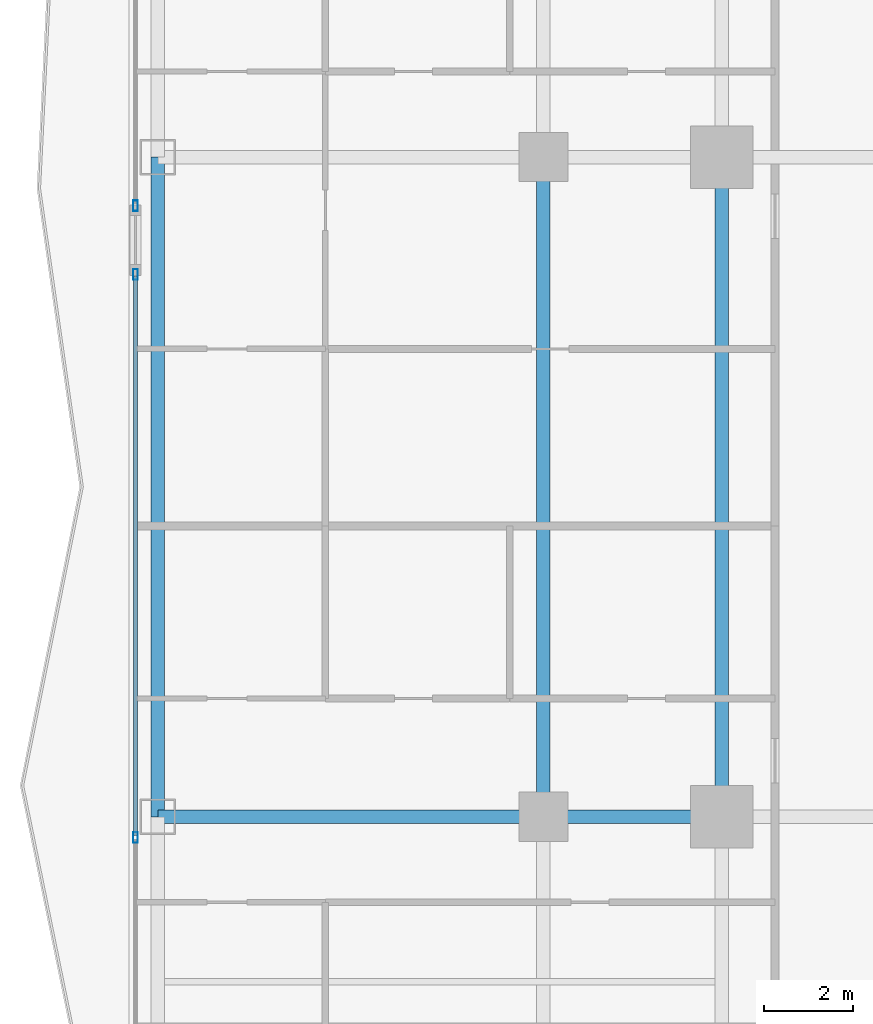
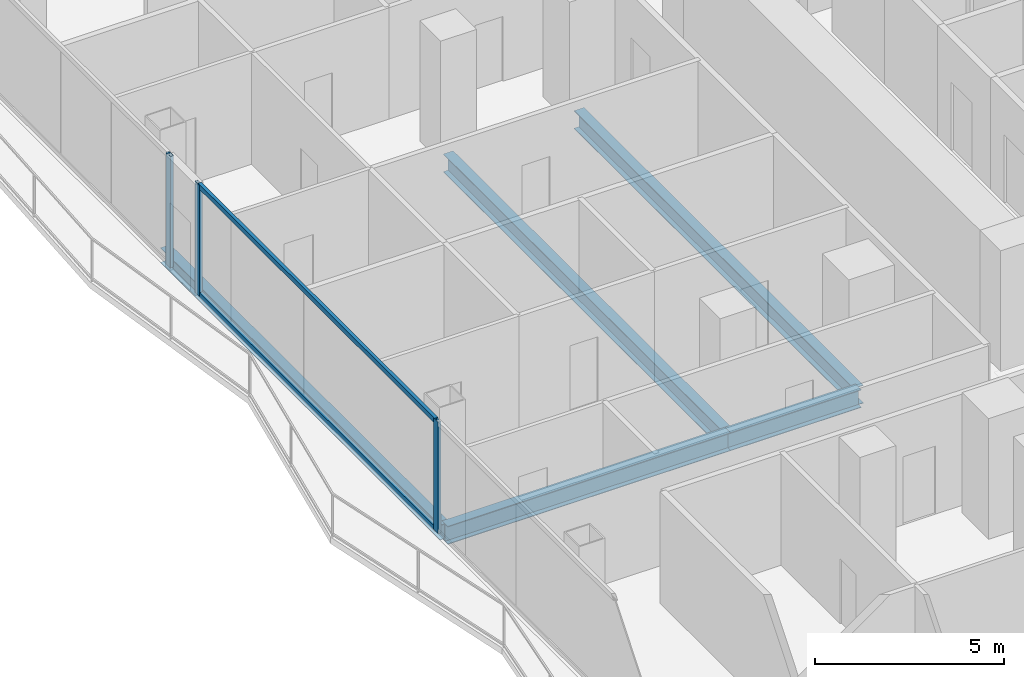
# One storey, part 6 of 29: 5 beams, 5 members, 2 elements without a shape of their own.
"""IFC4 building model written with IfcOpenShell, lengths in metres."""

import ifcopenshell
import ifcopenshell.guid

model = None  # the IFC model being written
_history = None  # IfcOwnerHistory: only IFC2X3 demands one
_inside = {}  # id of a spatial element -> (the spatial element, [elements in it])
_under = {}  # id of a project, library or spatial element -> (it, [spatial elements below it])
_declared = {}  # id of a project -> (the project, [libraries it declares])
_typed = {}  # id of a type object -> (the type object, [elements of that type])
_made_of = {}  # id of a material, layer set ... -> (it, [elements and type objects made of it])


def new_model(schema):
    """Start an empty IFC model of exactly this schema.

    Asked for "IFC4X3", IfcOpenShell would pick the latest addendum, in which some entities
    have other attributes; the version numbers below select the first issue.
    IFC2X3 requires an IfcOwnerHistory on every rooted entity: one is made here for all.
    """
    global model, _history
    if schema == "IFC4X3":
        model = ifcopenshell.file(schema_version=(4, 3, 0, 0))
    else:
        model = ifcopenshell.file(schema=schema)
    _inside.clear()
    _under.clear()
    _declared.clear()
    _typed.clear()
    _made_of.clear()
    _history = None
    if model.schema == "IFC2X3":
        org = make("IfcOrganization", Name="unknown")
        user = make(
            "IfcPersonAndOrganization",
            ThePerson=make("IfcPerson", FamilyName="unknown"),
            TheOrganization=org,
        )
        app = make(
            "IfcApplication",
            ApplicationDeveloper=org,
            Version="unknown",
            ApplicationFullName="unknown",
            ApplicationIdentifier="unknown",
        )
        _history = make(
            "IfcOwnerHistory",
            OwningUser=user,
            OwningApplication=app,
            ChangeAction="ADDED",
            CreationDate=0,
        )
    return model


def make(cls, **values):
    """One entity of the class cls with the attributes given. An attribute that is None is left unset."""
    return model.create_entity(
        cls, **{name: value for name, value in values.items() if value is not None}
    )


def rooted(cls, **values):
    """An entity with a GlobalId (a new one), such as an element, a storey or a relation."""
    return make(cls, GlobalId=ifcopenshell.guid.new(), OwnerHistory=_history, **values)


def si_unit(unit_type, name, prefix=None):
    """IfcSIUnit, for example si_unit("LENGTHUNIT", "METRE", prefix="MILLI")."""
    return make("IfcSIUnit", UnitType=unit_type, Prefix=prefix, Name=name)


def assignment(units):
    """IfcUnitAssignment: the units of a project."""
    return None if units is None else make("IfcUnitAssignment", Units=units)


def point(xyz):
    """IfcCartesianPoint."""
    return None if xyz is None else make("IfcCartesianPoint", Coordinates=xyz)


def direction(xyz):
    """IfcDirection."""
    return None if xyz is None else make("IfcDirection", DirectionRatios=xyz)


def frame(location, z_axis=None, x_axis=None):
    """IfcAxis2Placement3D, a coordinate frame: its origin and axes. An axis left out is left unset."""
    return make(
        "IfcAxis2Placement3D",
        Location=point(location),
        Axis=direction(z_axis),
        RefDirection=direction(x_axis),
    )


def frame_2d(location, x_axis=None):
    """IfcAxis2Placement2D, a coordinate frame in the plane: its origin and x axis."""
    return make(
        "IfcAxis2Placement2D", Location=point(location), RefDirection=direction(x_axis)
    )


def origin():
    """The frame at (0, 0, 0) with its axes left unset."""
    return frame((0.0, 0.0, 0.0))


def origin_2d():
    """The frame at (0, 0) in the plane with its x axis left unset."""
    return frame_2d((0.0, 0.0))


def place(relative_to, where):
    """IfcLocalPlacement: puts the frame where relative to a parent placement (None: the world)."""
    return make(
        "IfcLocalPlacement", PlacementRelTo=relative_to, RelativePlacement=where
    )


def context(
    kind, dimensions, precision=None, world=None, true_north=None, identifier=None
):
    """IfcGeometricRepresentationContext, for example the 3D "Model" context."""
    return make(
        "IfcGeometricRepresentationContext",
        ContextIdentifier=identifier,
        ContextType=kind,
        CoordinateSpaceDimension=dimensions,
        Precision=precision,
        WorldCoordinateSystem=world,
        TrueNorth=true_north,
    )


def subcontext(parent, identifier, kind, view, scale=None):
    """IfcGeometricRepresentationSubContext, for example "Body" below "Model"."""
    return make(
        "IfcGeometricRepresentationSubContext",
        ContextIdentifier=identifier,
        ContextType=kind,
        ParentContext=parent,
        TargetScale=scale,
        TargetView=view,
    )


def project(units=None, contexts=None):
    """IfcProject with its units and contexts."""
    return rooted(
        "IfcProject",
        Name="project",
        RepresentationContexts=contexts,
        UnitsInContext=assignment(units),
    )


def spatial(cls, under=None, at=None, **own):
    """A site, building, storey or space (cls), placed at a placement, below another one or the project."""
    s = rooted(cls, ObjectPlacement=at, **own)
    if under is not None:
        _under.setdefault(under.id(), (under, []))[1].append(s)
    return s


def profile(cls, at=None, kind="AREA", **sizes):
    """A parametric profile (cls). Its sizes go by their IFC names, for example OverallWidth=200.0."""
    return make(cls, ProfileType=kind, Position=at, **sizes)


def hollow_rectangle(**sizes):
    """IfcRectangleHollowProfileDef."""
    return profile("IfcRectangleHollowProfileDef", **sizes)


def i_section(**sizes):
    """IfcIShapeProfileDef."""
    return profile("IfcIShapeProfileDef", **sizes)


def extrude(swept, where, along, depth):
    """IfcExtrudedAreaSolid: the profile swept, set in the frame where, extruded along a direction by depth."""
    return make(
        "IfcExtrudedAreaSolid",
        SweptArea=swept,
        Position=where,
        ExtrudedDirection=direction(along),
        Depth=depth,
    )


def shape(context_of_items, identifier, shape_type, items):
    """IfcShapeRepresentation: the items that make up one representation, for example the "Body"."""
    return make(
        "IfcShapeRepresentation",
        ContextOfItems=context_of_items,
        RepresentationIdentifier=identifier,
        RepresentationType=shape_type,
        Items=items,
    )


def material(Name=None, Category=None):
    """IfcMaterial."""
    return make("IfcMaterial", Name=Name, Category=Category)


def layer(
    of_material, thickness, ventilated=None, Name=None, Category=None, Priority=None
):
    """IfcMaterialLayer: one layer of a wall or slab, of a material (None: an air gap)."""
    return make(
        "IfcMaterialLayer",
        Material=of_material,
        LayerThickness=thickness,
        IsVentilated=ventilated,
        Name=Name,
        Category=Category,
        Priority=Priority,
    )


def layer_set(layers, Name=None):
    """IfcMaterialLayerSet."""
    return make("IfcMaterialLayerSet", MaterialLayers=layers, LayerSetName=Name)


def material_profile(
    of_material, cross_section, Name=None, Category=None, Priority=None
):
    """IfcMaterialProfile: a cross section and its material."""
    return make(
        "IfcMaterialProfile",
        Name=Name,
        Material=of_material,
        Profile=cross_section,
        Priority=Priority,
        Category=Category,
    )


def profile_set(profiles, Name=None, composite=None):
    """IfcMaterialProfileSet."""
    return make(
        "IfcMaterialProfileSet",
        Name=Name,
        MaterialProfiles=profiles,
        CompositeProfile=composite,
    )


def made_of(thing, what):
    """Note that an element or type object is made of a material, layer set ...; save() writes the relation."""
    if what is not None:
        _made_of.setdefault(what.id(), (what, []))[1].append(thing)
    return thing


def type_object(cls, material=None, **own):
    """A type object (cls), such as IfcWallType, which elements share."""
    return made_of(rooted(cls, **own), material)


def element(
    cls,
    number,
    at=None,
    inside=None,
    cuts=None,
    type_object=None,
    material=None,
    context=None,
    identifier="Body",
    shape_type=None,
    held_by="IfcProductDefinitionShape",
    body=None,
    shapes=None,
    **own,
):
    """One element of the class cls, such as IfcWall. Its Tag is "e" and its number.

    at: its placement. inside: the storey or other place that contains it. cuts: it is an
    opening in that element (IfcRelVoidsElement). A single representation is given by context,
    identifier, shape_type and body (its items); several are given by shapes. held_by: the class
    of the entity that holds the representations. save() writes the other relations.
    """
    e = rooted(cls, Tag="e%d" % number, ObjectPlacement=at, **own)
    if body is not None:
        shapes = [shape(context, identifier, shape_type, body)]
    if shapes is not None:
        e.Representation = make(held_by, Representations=shapes)
    if inside is not None:
        _inside.setdefault(inside.id(), (inside, []))[1].append(e)
    if cuts is not None:
        rooted(
            "IfcRelVoidsElement", RelatingBuildingElement=cuts, RelatedOpeningElement=e
        )
    if type_object is not None:
        _typed.setdefault(type_object.id(), (type_object, []))[1].append(e)
    return made_of(e, material)


def aggregate(whole, parts):
    """IfcRelAggregates: a whole, such as a stair, and the parts it consists of."""
    return rooted("IfcRelAggregates", RelatingObject=whole, RelatedObjects=parts)


def save(model, path):
    """Write the relations noted so far, then the file.

    IfcRelAggregates (storeys below a building ...), IfcRelContainedInSpatialStructure (elements
    in a storey), IfcRelDefinesByType, IfcRelAssociatesMaterial and IfcRelDeclares: one each for
    every whole, place, type object, material and project.
    """
    for whole, parts in _under.values():
        aggregate(whole, parts)
    for where, things in _inside.values():
        rooted(
            "IfcRelContainedInSpatialStructure",
            RelatedElements=things,
            RelatingStructure=where,
        )
    for kind, things in _typed.values():
        rooted("IfcRelDefinesByType", RelatedObjects=things, RelatingType=kind)
    for what, things in _made_of.values():
        rooted("IfcRelAssociatesMaterial", RelatedObjects=things, RelatingMaterial=what)
    for by, libraries in _declared.values():
        rooted("IfcRelDeclares", RelatingContext=by, RelatedDefinitions=libraries)
    model.write(path)


model = new_model("IFC4")

# Units and contexts
model_context = context("Model", 3, precision=1e-05, world=origin(), true_north=direction((0.0, 1.0)))
body_context = subcontext(model_context, "Body", "Model", "MODEL_VIEW")
ifc_project = project(units=[si_unit("LENGTHUNIT", "METRE"), si_unit("AREAUNIT", "SQUARE_METRE"), si_unit("VOLUMEUNIT", "CUBIC_METRE"), si_unit("PLANEANGLEUNIT", "RADIAN"), si_unit("MASSUNIT", "GRAM", prefix="KILO")], contexts=[model_context])

# Site, building, storey
site_placement = place(None, origin())
site = spatial("IfcSite", under=ifc_project, at=site_placement, CompositionType="ELEMENT")
building_placement = place(site_placement, origin())
building = spatial("IfcBuilding", under=site, at=building_placement, Name="Khorvyn Point Tower", CompositionType="ELEMENT")
storey_placement = place(building_placement, frame((0.0, 0.0, 73.5)))
storey = spatial("IfcBuildingStorey", under=building, at=storey_placement, Name="L19", CompositionType="ELEMENT", Elevation=73.5)

# Curtain wall, members
ifc_material_1 = material(Name="Anodised aluminium 6063-T6 and laminated Low-E glass", Category="aluminium")
ifc_layer = layer(ifc_material_1, 0.18994140625)
ifc_layer_set = layer_set([ifc_layer], Name="Stick-Built Finned Residential Curtain Wall CW-SYS-02")
curtain_wall_type = type_object("IfcCurtainWallType", Name="Stick-Built Finned Residential Curtain Wall CW-SYS-02", PredefinedType="NOTDEFINED", material=ifc_layer_set)
curtain_wall_1_placement = place(storey_placement, origin())
curtain_wall_1 = element("IfcCurtainWall", 1, at=curtain_wall_1_placement, inside=storey, type_object=curtain_wall_type, Name="Curtain Wall", PredefinedType="NOTDEFINED")
ifc_material_2 = material(Name="Anodised aluminium 6063-T6", Category="aluminium")
ifc_material_profile_1 = material_profile(ifc_material_2, hollow_rectangle(XDim=0.10009765625, YDim=0.239990234375, WallThickness=0.0048828125, at=origin_2d()))
ifc_profile_set_1 = profile_set([ifc_material_profile_1], Name="Anodised aluminium 6063-T6 ALU-MUL-100x240")
member_type_1 = type_object("IfcMemberType", Name="Anodised Aluminium 6063-T6 Mullion ALU-MUL-100x240", PredefinedType="MULLION", material=ifc_profile_set_1)
member_1_placement = place(storey_placement, frame((-27.949951171875, -7.865478515625, 0.0), z_axis=(0.0, 0.0, 1.0), x_axis=(-1.0, 0.0, 0.0)))
member_1 = element("IfcMember", 2, at=member_1_placement, type_object=member_type_1, Name="Transom", PredefinedType="MULLION", context=body_context, shape_type="SweptSolid", body=[
    extrude(hollow_rectangle(XDim=0.10009765625, YDim=0.239990234375, WallThickness=0.0048828125, at=origin_2d()), origin(), (0.0, 0.0, 1.0), 3.60009765625),
])
member_2_placement = place(storey_placement, frame((-27.949951171875, 4.76904296875, 0.0), z_axis=(0.0, 0.0, 1.0), x_axis=(-1.0, 0.0, 0.0)))
member_2 = element("IfcMember", 3, at=member_2_placement, type_object=member_type_1, Name="Transom", PredefinedType="MULLION", context=body_context, shape_type="SweptSolid", body=[
    extrude(hollow_rectangle(XDim=0.10009765625, YDim=0.239990234375, WallThickness=0.0048828125, at=origin_2d()), origin(), (0.0, 0.0, 1.0), 3.60009765625),
])

# Curtain wall, member
curtain_wall_2_placement = place(storey_placement, origin())
curtain_wall_2 = element("IfcCurtainWall", 4, at=curtain_wall_2_placement, inside=storey, type_object=curtain_wall_type, Name="Curtain Wall", PredefinedType="NOTDEFINED")
member_3_placement = place(storey_placement, frame((-27.949951171875, 6.30908203125, 0.0), z_axis=(0.0, 0.0, 1.0), x_axis=(-1.0, 0.0, 0.0)))
member_3 = element("IfcMember", 5, at=member_3_placement, type_object=member_type_1, Name="Transom", PredefinedType="MULLION", context=body_context, shape_type="SweptSolid", body=[
    extrude(hollow_rectangle(XDim=0.10009765625, YDim=0.239990234375, WallThickness=0.0048828125, at=origin_2d()), origin(), (0.0, 0.0, 1.0), 3.60009765625),
])
aggregate(curtain_wall_2, [member_3])

# Member
ifc_material_profile_2 = material_profile(ifc_material_2, hollow_rectangle(XDim=0.10009765625, YDim=0.159912109375, WallThickness=0.00439453125, at=origin_2d()))
ifc_profile_set_2 = profile_set([ifc_material_profile_2], Name="Anodised aluminium 6063-T6 ALU-TRN-100x160")
member_type_2 = type_object("IfcMemberType", Name="Anodised Aluminium 6063-T6 Transom ALU-TRN-100x160", PredefinedType="USERDEFINED", material=ifc_profile_set_2)
member_4_placement = place(storey_placement, frame((-27.949951171875, -7.8154296875, 0.050048828125), z_axis=(0.0, 1.0, 0.0), x_axis=(-1.0, 0.0, 0.0)))
member_4 = element("IfcMember", 6, at=member_4_placement, type_object=member_type_2, Name="Transom", ObjectType="TRANSOM", PredefinedType="USERDEFINED", context=body_context, shape_type="SweptSolid", body=[
    extrude(hollow_rectangle(XDim=0.10009765625, YDim=0.159912109375, WallThickness=0.00439453125, at=origin_2d()), origin(), (0.0, 0.0, 1.0), 12.534423828125),
])

member_5_placement = place(storey_placement, frame((-27.949951171875, -7.8154296875, 3.550048828125), z_axis=(0.0, 1.0, 0.0), x_axis=(-1.0, 0.0, 0.0)))
member_5 = element("IfcMember", 7, at=member_5_placement, type_object=member_type_2, Name="Transom", ObjectType="TRANSOM", PredefinedType="USERDEFINED", context=body_context, shape_type="SweptSolid", body=[
    extrude(hollow_rectangle(XDim=0.10009765625, YDim=0.159912109375, WallThickness=0.00439453125, at=origin_2d()), origin(), (0.0, 0.0, 1.0), 12.534423828125),
])

aggregate(curtain_wall_1, [member_1, member_2, member_4, member_5])

# Beams
ifc_material_3 = material(Name="Steel S355", Category="steel")
ifc_material_profile_3 = material_profile(ifc_material_3, i_section(OverallWidth=0.300048828125, OverallDepth=0.587890625, WebThickness=0.011962890625, FlangeThickness=0.02001953125, at=origin_2d()))
ifc_profile_set_3 = profile_set([ifc_material_profile_3], Name="Steel S355 H588x300x12x20")
beam_type_1 = type_object("IfcBeamType", Name="Steel S355 Beam H588x300x12x20", PredefinedType="BEAM", material=ifc_profile_set_3)
beam_1_placement = place(storey_placement, frame((-27.449951171875, -7.39990234375, -0.513916015625), z_axis=(1.0, 0.0, 0.0), x_axis=(0.0, 1.0, 0.0)))
element("IfcBeam", 8, at=beam_1_placement, inside=storey, type_object=beam_type_1, Name="Beam", PredefinedType="BEAM", context=body_context, shape_type="SweptSolid", body=[
    extrude(i_section(OverallWidth=0.300048828125, OverallDepth=0.587890625, WebThickness=0.011962890625, FlangeThickness=0.02001953125, at=origin_2d()), origin(), (0.0, 0.0, 1.0), 8.64990234375),
])
beam_2_placement = place(storey_placement, frame((-18.800048828125, -7.39990234375, -0.513916015625), z_axis=(1.0, 0.0, 0.0), x_axis=(0.0, 1.0, 0.0)))
element("IfcBeam", 9, at=beam_2_placement, inside=storey, type_object=beam_type_1, Name="Beam", PredefinedType="BEAM", context=body_context, shape_type="SweptSolid", body=[
    extrude(i_section(OverallWidth=0.300048828125, OverallDepth=0.587890625, WebThickness=0.011962890625, FlangeThickness=0.02001953125, at=origin_2d()), origin(), (0.0, 0.0, 1.0), 4.0),
])
for number, where, z_axis, x_axis, name in (
    (10, (-14.800048828125, -7.39990234375, -0.513916015625), (0.0, 1.0, 0.0), (-1.0, 0.0, 0.0), "Beam"),
    (11, (-18.800048828125, -7.39990234375, -0.513916015625), (0.0, 1.0, 0.0), (-1.0, 0.0, 0.0), "Beam"),
):
    element("IfcBeam", number, at=place(storey_placement, frame(where, z_axis=z_axis, x_axis=x_axis)), inside=storey, type_object=beam_type_1, Name=name, PredefinedType="BEAM", context=body_context, shape_type="SweptSolid", body=[
        extrude(i_section(OverallWidth=0.300048828125, OverallDepth=0.587890625, WebThickness=0.011962890625, FlangeThickness=0.02001953125, at=origin_2d()), origin(), (0.0, 0.0, 1.0), 14.7998046875),
    ])
ifc_material_profile_4 = material_profile(ifc_material_3, i_section(OverallWidth=0.300048828125, OverallDepth=0.488037109375, WebThickness=0.010986328125, FlangeThickness=0.01806640625, at=origin_2d()))
ifc_profile_set_4 = profile_set([ifc_material_profile_4], Name="Steel S355 H488x300x11x18")
beam_type_2 = type_object("IfcBeamType", Name="Steel S355 Spandrel H488x300x11x18", PredefinedType="SPANDREL", material=ifc_profile_set_4)
beam_3_placement = place(storey_placement, frame((-27.449951171875, -7.39990234375, -0.464111328125), z_axis=(0.0, 1.0, 0.0), x_axis=(-1.0, 0.0, 0.0)))
element("IfcBeam", 12, at=beam_3_placement, inside=storey, type_object=beam_type_2, Name="Beam", PredefinedType="SPANDREL", context=body_context, shape_type="SweptSolid", body=[
    extrude(i_section(OverallWidth=0.300048828125, OverallDepth=0.488037109375, WebThickness=0.010986328125, FlangeThickness=0.01806640625, at=origin_2d()), origin(), (0.0, 0.0, 1.0), 14.7998046875),
])

save(model, "model.ifc")
